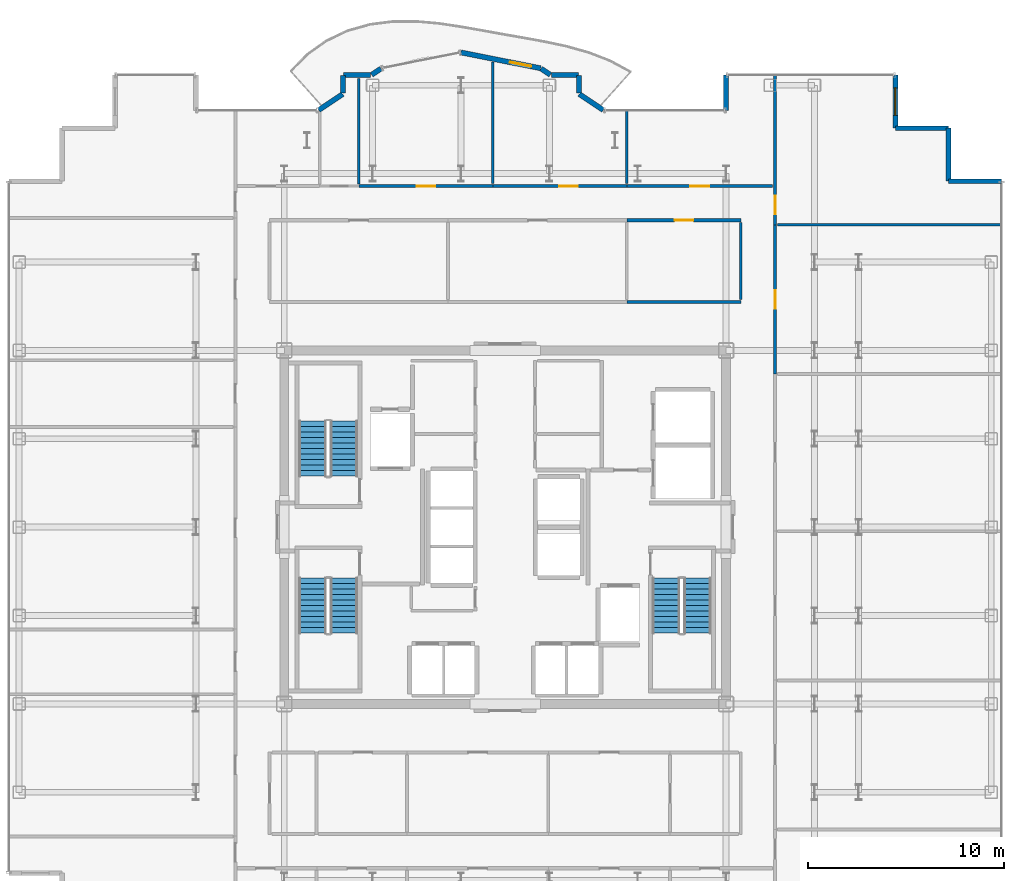
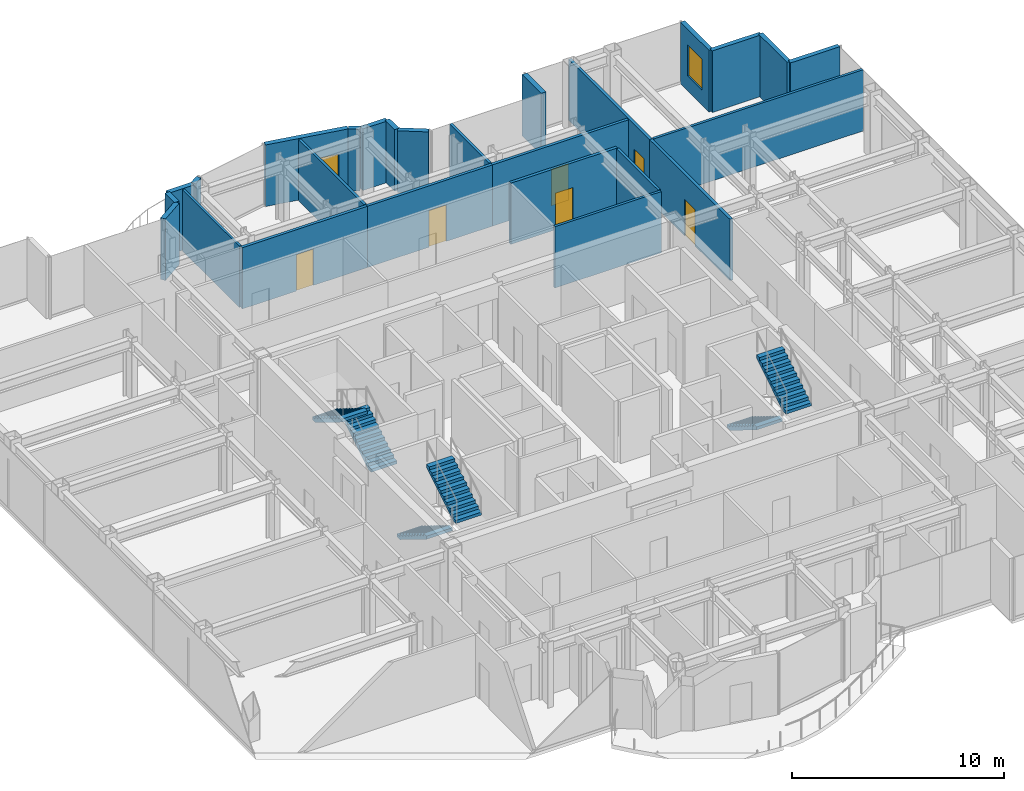
# One storey, part 19 of 21: 26 walls, 7 doors, 6 stair flights, 1 window, 8 openings, 3 elements without a shape of their own.
"""IFC4 building model written with IfcOpenShell, lengths in metres."""

from ifc_helpers import new_model, si_unit, direction, frame, frame_2d, origin, place, context, subcontext, project, spatial, polyline, rectangle, outline, extrude, source, transform, mapped, material, layer, layer_set, type_object, element, fill, aggregate, save


model = new_model("IFC4")

# Units and contexts
model_context = context("Model", 3, precision=1e-05, world=origin(), true_north=direction((0.0, 1.0)))
body_context = subcontext(model_context, "Body", "Model", "MODEL_VIEW")
ifc_project = project(units=[si_unit("LENGTHUNIT", "METRE"), si_unit("AREAUNIT", "SQUARE_METRE"), si_unit("VOLUMEUNIT", "CUBIC_METRE"), si_unit("PLANEANGLEUNIT", "RADIAN"), si_unit("MASSUNIT", "GRAM", prefix="KILO")], contexts=[model_context])

# Site, building, storey
site_placement = place(None, origin())
site = spatial("IfcSite", under=ifc_project, at=site_placement, CompositionType="ELEMENT")
building_placement = place(site_placement, origin())
building = spatial("IfcBuilding", under=site, at=building_placement, Name="Nefas-Gora Pilgrimage Tower", CompositionType="ELEMENT")
storey_placement = place(building_placement, frame((0.0, 0.0, 233.199951171875)))
storey = spatial("IfcBuildingStorey", under=building, at=storey_placement, Name="L58", CompositionType="ELEMENT", Elevation=233.199951171875)

# Walls
ifc_material_1 = material(Name="Precast concrete C40/50", Category="concrete")
ifc_layer_1 = layer(ifc_material_1, 0.260009765625)
ifc_layer_set_1 = layer_set([ifc_layer_1], Name="Precast concrete C40/50")
wall_type_1 = type_object("IfcWallType", Name="EW-PORTAL-260", PredefinedType="SOLIDWALL", material=ifc_layer_set_1)
shared_shape_1 = source(origin(), body_context, "Body", "SweptSolid", [
    extrude(rectangle(XDim=1.800048828125, YDim=0.260009765625, at=frame_2d((0.89990234375, 0.0))), origin(), (0.0, 0.0, 1.0), 3.550048828125),
])
wall_1_placement = place(storey_placement, frame((11.25, 23.02001953125, 0.0), z_axis=(0.0, 0.0, 1.0), x_axis=(0.0, -1.0, 0.0)))
element("IfcWall", 1, at=wall_1_placement, inside=storey, type_object=wall_type_1, Name="L58 Lobe Shoulder Precast Spandrel Pier 10", PredefinedType="SOLIDWALL", context=body_context, shape_type="MappedRepresentation", body=[
    mapped(shared_shape_1, transform((0.0, 0.0, 0.0), x_axis=(1.0, 0.0, 0.0), y_axis=(0.0, 1.0, 0.0), z_axis=(0.0, 0.0, 1.0), scale=1.0)),
])
ifc_material_2 = material(Name="Precast concrete C45/55", Category="concrete")
ifc_layer_2 = layer(ifc_material_2, 0.239990234375)
ifc_layer_set_2 = layer_set([ifc_layer_2], Name="Precast concrete C45/55")
wall_type_2 = type_object("IfcWallType", Name="EW-SERR-240", PredefinedType="SHEAR", material=ifc_layer_set_2)
shared_shape_2 = source(origin(), body_context, "Body", "SweptSolid", [
    extrude(rectangle(XDim=2.699951171875, YDim=0.239990234375, at=frame_2d((1.35009765625, 0.0))), origin(), (0.0, 0.0, 1.0), 3.550048828125),
])
for number, where, z_axis, x_axis, name in (
    (2, (25.27001953125, 17.6201171875, 0.0), (0.0, 0.0, 1.0), (-1.0, 0.0, 0.0), "L58 Serrated Corner Shear Pier Wall 6"),
    (3, (22.570068359375, 17.6201171875, 0.0), (0.0, 0.0, 1.0), (0.0, 1.0, 0.0), "L58 Serrated Corner Shear Pier Wall 7"),
    (4, (22.570068359375, 20.320068359375, 0.0), (0.0, 0.0, 1.0), (-1.0, 0.0, 0.0), "L58 Serrated Corner Shear Pier Wall 8"),
):
    element("IfcWall", number, at=place(storey_placement, frame(where, z_axis=z_axis, x_axis=x_axis)), inside=storey, type_object=wall_type_2, Name=name, PredefinedType="SHEAR", context=body_context, shape_type="MappedRepresentation", body=[
        mapped(shared_shape_2, transform((0.0, 0.0, 0.0), x_axis=(1.0, 0.0, 0.0), y_axis=(0.0, 1.0, 0.0), z_axis=(0.0, 0.0, 1.0), scale=1.0)),
    ])

# Wall, opening, window
wall_2_placement = place(storey_placement, frame((19.8701171875, 20.320068359375, 0.0), z_axis=(0.0, 0.0, 1.0), x_axis=(0.0, 1.0, 0.0)))
wall_2 = element("IfcWall", 5, at=wall_2_placement, inside=storey, type_object=wall_type_2, Name="L58 Serrated Corner Shear Pier Wall 9", PredefinedType="SHEAR", context=body_context, shape_type="MappedRepresentation", body=[
    mapped(shared_shape_2, transform((0.0, 0.0, 0.0), x_axis=(1.0, 0.0, 0.0), y_axis=(0.0, 1.0, 0.0), z_axis=(0.0, 0.0, 1.0), scale=1.0)),
])
opening_1_placement = place(wall_2_placement, frame((0.64990234375, 0.0, 0.85009765625)))
opening_1 = element("IfcOpeningElement", 6, at=opening_1_placement, cuts=wall_2, Name="Opening W-V2", PredefinedType="OPENING", context=body_context, shape_type="SweptSolid", body=[
    extrude(rectangle(XDim=1.39990234375, YDim=1.800048828125, at=frame_2d((0.699951171875, 0.89990234375))), frame((0.0, 0.1298828125, 0.0), z_axis=(0.0, -1.0, 0.0), x_axis=(1.0, 0.0, 0.0)), (0.0, 0.0, 1.0), 0.260009765625),
])
ifc_material_3 = material(Name="Dark ceramic-fritted operable aluminium-glass window", Category="aluminium")
window_type = type_object("IfcWindowType", Name="WIN-VENT-1400x1800", PartitioningType="SINGLE_PANEL", PredefinedType="WINDOW", material=ifc_material_3)
shared_shape_3 = source(origin(), body_context, "Body", "SweptSolid", [
    extrude(rectangle(XDim=1.39990234375, YDim=1.800048828125, at=frame_2d((0.699951171875, 0.89990234375))), frame((0.0, 0.030029296875, 0.0), z_axis=(0.0, -1.0, 0.0), x_axis=(1.0, 0.0, 0.0)), (0.0, 0.0, 1.0), 0.06005859375),
])
window_placement = place(opening_1_placement, origin())
window = element("IfcWindow", 7, at=window_placement, inside=storey, type_object=window_type, Name="L58 Operable Parallel-Outswing Window 9", OverallHeight=1.800048828125, OverallWidth=1.39990234375, PartitioningType="SINGLE_PANEL", PredefinedType="WINDOW", context=body_context, shape_type="MappedRepresentation", body=[
    mapped(shared_shape_3, transform((0.0, 0.0, 0.0), x_axis=(1.0, 0.0, 0.0), y_axis=(0.0, 1.0, 0.0), z_axis=(0.0, 0.0, 1.0), scale=1.0)),
])
fill(opening_1, window)

# Walls
shared_shape_4 = source(origin(), body_context, "Body", "SweptSolid", [
    extrude(rectangle(XDim=1.468994140625, YDim=0.260009765625, at=frame_2d((0.734375, 0.0))), origin(), (0.0, 0.0, 1.0), 3.550048828125),
])
for number, where, z_axis, x_axis, name in (
    (8, (4.99462890625, 21.235595703125, 0.0), (0.0, 0.0, 1.0), (-0.831461760506, 0.555581983884, 0.0), "L58 Lobe Shoulder Precast Spandrel Pier 11"),
    (9, (-8.273193359375, 22.0517578125, 0.0), (0.0, 0.0, 1.0), (-0.831461760506, -0.555581983884, 0.0), "L58 Lobe Shoulder Precast Spandrel Pier 19"),
):
    element("IfcWall", number, at=place(storey_placement, frame(where, z_axis=z_axis, x_axis=x_axis)), inside=storey, type_object=wall_type_1, Name=name, PredefinedType="SOLIDWALL", context=body_context, shape_type="MappedRepresentation", body=[
        mapped(shared_shape_4, transform((0.0, 0.0, 0.0), x_axis=(1.0, 0.0, 0.0), y_axis=(0.0, 1.0, 0.0), z_axis=(0.0, 0.0, 1.0), scale=1.0)),
    ])
shared_shape_5 = source(origin(), body_context, "Body", "SweptSolid", [
    extrude(rectangle(XDim=0.896728515625, YDim=0.260009765625, at=frame_2d((0.4482421875, 0.0))), origin(), (0.0, 0.0, 1.0), 3.550048828125),
])
for number, where, z_axis, x_axis, name in (
    (10, (3.75, 22.09521484375, 0.0), (0.0, 0.0, 1.0), (0.0, 1.0, 0.0), "L58 Lobe Shoulder Precast Spandrel Pier 12"),
    (11, (-8.25, 22.991943359375, 0.0), (0.0, 0.0, 1.0), (0.0, -1.0, 0.0), "L58 Lobe Shoulder Precast Spandrel Pier 18"),
):
    element("IfcWall", number, at=place(storey_placement, frame(where, z_axis=z_axis, x_axis=x_axis)), inside=storey, type_object=wall_type_1, Name=name, PredefinedType="SOLIDWALL", context=body_context, shape_type="MappedRepresentation", body=[
        mapped(shared_shape_5, transform((0.0, 0.0, 0.0), x_axis=(1.0, 0.0, 0.0), y_axis=(0.0, 1.0, 0.0), z_axis=(0.0, 0.0, 1.0), scale=1.0)),
    ])
shared_shape_6 = source(origin(), body_context, "Body", "SweptSolid", [
    extrude(rectangle(XDim=1.369873046875, YDim=0.260009765625, at=frame_2d((0.68505859375, 0.0))), origin(), (0.0, 0.0, 1.0), 3.550048828125),
])
for number, where, z_axis, x_axis, name in (
    (12, (3.721923828125, 23.02001953125, 0.0), (0.0, 0.0, 1.0), (-1.0, 0.0, 0.0), "L58 Lobe Shoulder Precast Spandrel Pier 13"),
    (13, (-6.85205078125, 23.02001953125, 0.0), (0.0, 0.0, 1.0), (-1.0, 0.0, 0.0), "L58 Lobe Shoulder Precast Spandrel Pier 17"),
):
    element("IfcWall", number, at=place(storey_placement, frame(where, z_axis=z_axis, x_axis=x_axis)), inside=storey, type_object=wall_type_1, Name=name, PredefinedType="SOLIDWALL", context=body_context, shape_type="MappedRepresentation", body=[
        mapped(shared_shape_6, transform((0.0, 0.0, 0.0), x_axis=(1.0, 0.0, 0.0), y_axis=(0.0, 1.0, 0.0), z_axis=(0.0, 0.0, 1.0), scale=1.0)),
    ])
shared_shape_7 = source(origin(), body_context, "Body", "SweptSolid", [
    extrude(rectangle(XDim=0.5654296875, YDim=0.260009765625, at=frame_2d((0.28271484375, 0.0))), origin(), (0.0, 0.0, 1.0), 3.550048828125),
])
for number, where, z_axis, x_axis, name in (
    (14, (2.30078125, 23.03564453125, 0.0), (0.0, 0.0, 1.0), (-0.831651492666, 0.555297933317, 0.0), "L58 Lobe Shoulder Precast Spandrel Pier 14"),
    (15, (-6.33056640625, 23.349609375, 0.0), (0.0, 0.0, 1.0), (-0.831651492666, -0.555297933317, 0.0), "L58 Lobe Shoulder Precast Spandrel Pier 16"),
):
    element("IfcWall", number, at=place(storey_placement, frame(where, z_axis=z_axis, x_axis=x_axis)), inside=storey, type_object=wall_type_1, Name=name, PredefinedType="SOLIDWALL", context=body_context, shape_type="MappedRepresentation", body=[
        mapped(shared_shape_7, transform((0.0, 0.0, 0.0), x_axis=(1.0, 0.0, 0.0), y_axis=(0.0, 1.0, 0.0), z_axis=(0.0, 0.0, 1.0), scale=1.0)),
    ])

# Wall, opening, door
shared_shape_8 = source(origin(), body_context, "Body", "SweptSolid", [
    extrude(rectangle(XDim=4.136962890625, YDim=0.260009765625, at=frame_2d((2.068359375, 0.0))), origin(), (0.0, 0.0, 1.0), 3.550048828125),
])
wall_3_placement = place(storey_placement, frame((1.807373046875, 23.365234375, 0.0), z_axis=(0.0, 0.0, 1.0), x_axis=(-0.980782170794, 0.195105954428, 0.0)))
wall_3 = element("IfcWall", 16, at=wall_3_placement, inside=storey, type_object=wall_type_1, Name="L58 Insulated Terrace Portal Wall 15", PredefinedType="SOLIDWALL", context=body_context, shape_type="MappedRepresentation", body=[
    mapped(shared_shape_8, transform((0.0, 0.0, 0.0), x_axis=(1.0, 0.0, 0.0), y_axis=(0.0, 1.0, 0.0), z_axis=(0.0, 0.0, 1.0), scale=1.0)),
])
opening_2_placement = place(wall_3_placement, frame((0.48779296875, 0.0, 0.0)))
opening_2 = element("IfcOpeningElement", 17, at=opening_2_placement, cuts=wall_3, Name="Opening ED-B1", PredefinedType="OPENING", context=body_context, shape_type="SweptSolid", body=[
    extrude(rectangle(XDim=1.10009765625, YDim=2.199951171875, at=frame_2d((0.550048828125, 1.10009765625))), frame((0.0, 0.139892578125, 0.0), z_axis=(0.0, -1.0, 0.0), x_axis=(1.0, 0.0, 0.0)), (0.0, 0.0, 1.0), 0.280029296875),
])
ifc_material_4 = material(Name="Thermally broken glazed aluminium balcony door", Category="aluminium")
door_type_1 = type_object("IfcDoorType", Name="DR-EXT-BAL-1100", OperationType="NOTDEFINED", PredefinedType="DOOR", material=ifc_material_4)
shared_shape_9 = source(origin(), body_context, "Body", "SweptSolid", [
    extrude(rectangle(XDim=1.10009765625, YDim=2.199951171875, at=frame_2d((0.550048828125, 1.10009765625))), frame((0.0, 0.02490234375, 0.0), z_axis=(0.0, -1.0, 0.0), x_axis=(1.0, 0.0, 0.0)), (0.0, 0.0, 1.0), 0.050048828125),
])
door_1_placement = place(opening_2_placement, origin())
door_1 = element("IfcDoor", 18, at=door_1_placement, inside=storey, type_object=door_type_1, Name="L58 Exterior Door (L58 N Lobe Wave Balcony)", OperationType="SINGLE_SWING_RIGHT", OverallHeight=2.199951171875, OverallWidth=1.10009765625, PredefinedType="DOOR", context=body_context, shape_type="MappedRepresentation", body=[
    mapped(shared_shape_9, transform((0.0, 0.0, 0.0), x_axis=(1.0, 0.0, 0.0), y_axis=(0.0, 1.0, 0.0), z_axis=(0.0, 0.0, 1.0), scale=1.0)),
])
fill(opening_2, door_1)

# Walls
ifc_material_5 = material(Name="Moisture-resistant fire-rated gypsum partition")
ifc_layer_3 = layer(ifc_material_5, 0.1201171875)
ifc_layer_set_3 = layer_set([ifc_layer_3], Name="Moisture-resistant fire-rated gypsum partition")
wall_type_3 = type_object("IfcWallType", Name="IW-WET-120", PredefinedType="PLUMBINGWALL", material=ifc_layer_set_3)
shared_shape_10 = source(origin(), body_context, "Body", "SweptSolid", [
    extrude(rectangle(XDim=5.380126953125, YDim=0.1201171875, at=frame_2d((2.68994140625, 0.0))), origin(), (0.0, 0.0, 1.0), 3.53515625),
])
wall_4_placement = place(storey_placement, frame((-7.449951171875, 17.469970703125, 0.0), z_axis=(0.0, 0.0, 1.0), x_axis=(0.0, 1.0, 0.0)))
element("IfcWall", 19, at=wall_4_placement, inside=storey, type_object=wall_type_3, Name="L58 Accessible Unisex WC Partition Wall 30", PredefinedType="PLUMBINGWALL", context=body_context, shape_type="MappedRepresentation", body=[
    mapped(shared_shape_10, transform((0.0, 0.0, 0.0), x_axis=(1.0, 0.0, 0.0), y_axis=(0.0, 1.0, 0.0), z_axis=(0.0, 0.0, 1.0), scale=1.0)),
])
ifc_material_6 = material(Name="Gypsum twin-stud partition")
ifc_layer_4 = layer(ifc_material_6, 0.139892578125)
ifc_layer_set_4 = layer_set([ifc_layer_4], Name="Gypsum twin-stud partition")
wall_type_4 = type_object("IfcWallType", Name="IW-UNIT-140", PredefinedType="PARTITIONING", material=ifc_layer_set_4)
shared_shape_11 = source(origin(), body_context, "Body", "SweptSolid", [
    extrude(rectangle(XDim=11.429931640625, YDim=0.139892578125, at=frame_2d((5.71484375, 0.0))), origin(), (0.0, 0.0, 1.0), 3.53515625),
])
wall_5_placement = place(storey_placement, frame((13.860107421875, 15.3974609375, 0.0), z_axis=(0.0, 0.0, 1.0), x_axis=(1.0, 0.0, 0.0)))
element("IfcWall", 20, at=wall_5_placement, inside=storey, type_object=wall_type_4, Name="L58 Pilgrim Contemplative Lounge Partition Wall 54", PredefinedType="PARTITIONING", context=body_context, shape_type="MappedRepresentation", body=[
    mapped(shared_shape_11, transform((0.0, 0.0, 0.0), x_axis=(1.0, 0.0, 0.0), y_axis=(0.0, 1.0, 0.0), z_axis=(0.0, 0.0, 1.0), scale=1.0)),
])
shared_shape_12 = source(origin(), body_context, "Body", "SweptSolid", [
    extrude(rectangle(XDim=3.929931640625, YDim=0.139892578125, at=frame_2d((1.96484375, 0.0))), origin(), (0.0, 0.0, 1.0), 3.53515625),
])
wall_6_placement = place(storey_placement, frame((12.0, 11.580078125, 0.0), z_axis=(0.0, 0.0, 1.0), x_axis=(0.0, 1.0, 0.0)))
element("IfcWall", 21, at=wall_6_placement, inside=storey, type_object=wall_type_4, Name="L58 Pilgrim Contemplative Lounge Partition Wall 71", PredefinedType="PARTITIONING", context=body_context, shape_type="MappedRepresentation", body=[
    mapped(shared_shape_12, transform((0.0, 0.0, 0.0), x_axis=(1.0, 0.0, 0.0), y_axis=(0.0, 1.0, 0.0), z_axis=(0.0, 0.0, 1.0), scale=1.0)),
])
shared_shape_13 = source(origin(), body_context, "Body", "SweptSolid", [
    extrude(rectangle(XDim=3.75, YDim=0.139892578125, at=frame_2d((1.875, 0.0))), origin(), (0.0, 0.0, 1.0), 3.53515625),
])
wall_7_placement = place(storey_placement, frame((6.195068359375, 17.489990234375, 0.0), z_axis=(0.0, 0.0, 1.0), x_axis=(0.0, 1.0, 0.0)))
element("IfcWall", 22, at=wall_7_placement, inside=storey, type_object=wall_type_4, Name="L58 Pilgrim Contemplative Lounge Partition Wall 66", PredefinedType="PARTITIONING", context=body_context, shape_type="MappedRepresentation", body=[
    mapped(shared_shape_13, transform((0.0, 0.0, 0.0), x_axis=(1.0, 0.0, 0.0), y_axis=(0.0, 1.0, 0.0), z_axis=(0.0, 0.0, 1.0), scale=1.0)),
])

# Wall, opening, door
ifc_material_7 = material(Name="Gypsum acoustic stud partition")
ifc_layer_5 = layer(ifc_material_7, 0.159912109375)
ifc_layer_set_5 = layer_set([ifc_layer_5], Name="Gypsum acoustic stud partition")
wall_type_5 = type_object("IfcWallType", Name="IW-CORR-160", PredefinedType="PARTITIONING", material=ifc_layer_set_5)
shared_shape_14 = source(origin(), body_context, "Body", "SweptSolid", [
    extrude(rectangle(XDim=7.652587890625, YDim=0.159912109375, at=frame_2d((3.826171875, 0.0))), origin(), (0.0, 0.0, 1.0), 3.53515625),
])
wall_8_placement = place(storey_placement, frame((13.739990234375, 15.387451171875, 0.0), z_axis=(0.0, 0.0, 1.0), x_axis=(0.0, 1.0, 0.0)))
wall_8 = element("IfcWall", 23, at=wall_8_placement, inside=storey, type_object=wall_type_5, Name="L58 Pilgrim Contemplative Lounge Partition Wall 53", PredefinedType="PARTITIONING", context=body_context, shape_type="MappedRepresentation", body=[
    mapped(shared_shape_14, transform((0.0, 0.0, 0.0), x_axis=(1.0, 0.0, 0.0), y_axis=(0.0, 1.0, 0.0), z_axis=(0.0, 0.0, 1.0), scale=1.0)),
])
opening_3_placement = place(wall_8_placement, frame((0.536376953125, 0.0, 0.0)))
opening_3 = element("IfcOpeningElement", 24, at=opening_3_placement, cuts=wall_8, Name="Opening ID-GR1", PredefinedType="OPENING", context=body_context, shape_type="SweptSolid", body=[
    extrude(rectangle(XDim=0.949951171875, YDim=2.10009765625, at=frame_2d((0.47509765625, 1.050048828125))), frame((0.0, 0.08984375, 0.0), z_axis=(0.0, -1.0, 0.0), x_axis=(1.0, 0.0, 0.0)), (0.0, 0.0, 1.0), 0.179931640625),
])
ifc_material_8 = material(Name="Solid core oak fire-rated guest entrance door")
door_type_2 = type_object("IfcDoorType", Name="DR-INT-GUEST-950", OperationType="NOTDEFINED", PredefinedType="DOOR", material=ifc_material_8)
shared_shape_15 = source(origin(), body_context, "Body", "SweptSolid", [
    extrude(rectangle(XDim=0.949951171875, YDim=2.10009765625, at=frame_2d((0.47509765625, 1.050048828125))), frame((0.0, 0.02490234375, 0.0), z_axis=(0.0, -1.0, 0.0), x_axis=(1.0, 0.0, 0.0)), (0.0, 0.0, 1.0), 0.050048828125),
])
door_2_placement = place(opening_3_placement, origin())
door_2 = element("IfcDoor", 25, at=door_2_placement, inside=storey, type_object=door_type_2, Name="L58 Pilgrim Contemplative Lounge Door 24", OperationType="SINGLE_SWING_RIGHT", OverallHeight=2.10009765625, OverallWidth=0.949951171875, PredefinedType="DOOR", context=body_context, shape_type="MappedRepresentation", body=[
    mapped(shared_shape_15, transform((0.0, 0.0, 0.0), x_axis=(1.0, 0.0, 0.0), y_axis=(0.0, 1.0, 0.0), z_axis=(0.0, 0.0, 1.0), scale=1.0)),
])
fill(opening_3, door_2)

shared_shape_16 = source(origin(), body_context, "Body", "SweptSolid", [
    extrude(rectangle(XDim=7.592529296875, YDim=0.159912109375, at=frame_2d((3.79638671875, 0.0))), origin(), (0.0, 0.0, 1.0), 3.53515625),
])
wall_9_placement = place(storey_placement, frame((13.739990234375, 7.794921875, 0.0), z_axis=(0.0, 0.0, 1.0), x_axis=(0.0, 1.0, 0.0)))
wall_9 = element("IfcWall", 26, at=wall_9_placement, inside=storey, type_object=wall_type_5, Name="L58 Pilgrim Contemplative Lounge Partition Wall 55", PredefinedType="PARTITIONING", context=body_context, shape_type="MappedRepresentation", body=[
    mapped(shared_shape_16, transform((0.0, 0.0, 0.0), x_axis=(1.0, 0.0, 0.0), y_axis=(0.0, 1.0, 0.0), z_axis=(0.0, 0.0, 1.0), scale=1.0)),
])
opening_4_placement = place(wall_9_placement, frame((3.3212890625, 0.0, 0.0)))
opening_4 = element("IfcOpeningElement", 27, at=opening_4_placement, cuts=wall_9, Name="Opening ID-GR1", PredefinedType="OPENING", context=body_context, shape_type="SweptSolid", body=[
    extrude(rectangle(XDim=0.949951171875, YDim=2.10009765625, at=frame_2d((0.47509765625, 1.050048828125))), frame((0.0, 0.08984375, 0.0), z_axis=(0.0, -1.0, 0.0), x_axis=(1.0, 0.0, 0.0)), (0.0, 0.0, 1.0), 0.179931640625),
])
door_3_placement = place(opening_4_placement, origin())
door_3 = element("IfcDoor", 28, at=door_3_placement, inside=storey, type_object=door_type_2, Name="L58 Pilgrim Contemplative Lounge Door 25", OperationType="SINGLE_SWING_LEFT", OverallHeight=2.10009765625, OverallWidth=0.949951171875, PredefinedType="DOOR", context=body_context, shape_type="MappedRepresentation", body=[
    mapped(shared_shape_15, transform((0.0, 0.0, 0.0), x_axis=(1.0, 0.0, 0.0), y_axis=(0.0, 1.0, 0.0), z_axis=(0.0, 0.0, 1.0), scale=1.0)),
])
fill(opening_4, door_3)

shared_shape_17 = source(origin(), body_context, "Body", "SweptSolid", [
    extrude(rectangle(XDim=7.425048828125, YDim=0.159912109375, at=frame_2d((3.71240234375, 0.0))), origin(), (0.0, 0.0, 1.0), 3.53515625),
])
wall_10_placement = place(storey_placement, frame((6.195068359375, 17.3701171875, 0.0), z_axis=(0.0, 0.0, 1.0), x_axis=(1.0, 0.0, 0.0)))
wall_10 = element("IfcWall", 29, at=wall_10_placement, inside=storey, type_object=wall_type_5, Name="L58 Pilgrim Contemplative Lounge Partition Wall 68", PredefinedType="PARTITIONING", context=body_context, shape_type="MappedRepresentation", body=[
    mapped(shared_shape_17, transform((0.0, 0.0, 0.0), x_axis=(1.0, 0.0, 0.0), y_axis=(0.0, 1.0, 0.0), z_axis=(0.0, 0.0, 1.0), scale=1.0)),
])
opening_5_placement = place(wall_10_placement, frame((3.237548828125, 0.0, 0.0)))
opening_5 = element("IfcOpeningElement", 30, at=opening_5_placement, cuts=wall_10, Name="Opening ID-GR1", PredefinedType="OPENING", context=body_context, shape_type="SweptSolid", body=[
    extrude(rectangle(XDim=0.949951171875, YDim=2.10009765625, at=frame_2d((0.47509765625, 1.050048828125))), frame((0.0, 0.08984375, 0.0), z_axis=(0.0, -1.0, 0.0), x_axis=(1.0, 0.0, 0.0)), (0.0, 0.0, 1.0), 0.179931640625),
])
door_4_placement = place(opening_5_placement, origin())
door_4 = element("IfcDoor", 31, at=door_4_placement, inside=storey, type_object=door_type_2, Name="L58 Pilgrim Contemplative Lounge Door 31", OperationType="SINGLE_SWING_LEFT", OverallHeight=2.10009765625, OverallWidth=0.949951171875, PredefinedType="DOOR", context=body_context, shape_type="MappedRepresentation", body=[
    mapped(shared_shape_15, transform((0.0, 0.0, 0.0), x_axis=(1.0, 0.0, 0.0), y_axis=(0.0, 1.0, 0.0), z_axis=(0.0, 0.0, 1.0), scale=1.0)),
])
fill(opening_5, door_4)

shared_shape_18 = source(origin(), body_context, "Body", "SweptSolid", [
    extrude(rectangle(XDim=5.81494140625, YDim=0.159912109375, at=frame_2d((2.907470703125, 0.0))), origin(), (0.0, 0.0, 1.0), 3.53515625),
])
wall_11_placement = place(storey_placement, frame((6.195068359375, 15.6298828125, 0.0), z_axis=(0.0, 0.0, 1.0), x_axis=(1.0, 0.0, 0.0)))
wall_11 = element("IfcWall", 32, at=wall_11_placement, inside=storey, type_object=wall_type_5, Name="L58 Pilgrim Contemplative Lounge Partition Wall 69", PredefinedType="PARTITIONING", context=body_context, shape_type="MappedRepresentation", body=[
    mapped(shared_shape_18, transform((0.0, 0.0, 0.0), x_axis=(1.0, 0.0, 0.0), y_axis=(0.0, 1.0, 0.0), z_axis=(0.0, 0.0, 1.0), scale=1.0)),
])
opening_6_placement = place(wall_11_placement, frame((2.4326171875, 0.0, 0.0)))
opening_6 = element("IfcOpeningElement", 33, at=opening_6_placement, cuts=wall_11, Name="Opening ID-GR1", PredefinedType="OPENING", context=body_context, shape_type="SweptSolid", body=[
    extrude(rectangle(XDim=0.949951171875, YDim=2.10009765625, at=frame_2d((0.47509765625, 1.050048828125))), frame((0.0, 0.08984375, 0.0), z_axis=(0.0, -1.0, 0.0), x_axis=(1.0, 0.0, 0.0)), (0.0, 0.0, 1.0), 0.179931640625),
])
door_5_placement = place(opening_6_placement, origin())
door_5 = element("IfcDoor", 34, at=door_5_placement, inside=storey, type_object=door_type_2, Name="L58 Pilgrim Contemplative Lounge Door 32", OperationType="SINGLE_SWING_RIGHT", OverallHeight=2.10009765625, OverallWidth=0.949951171875, PredefinedType="DOOR", context=body_context, shape_type="MappedRepresentation", body=[
    mapped(shared_shape_15, transform((0.0, 0.0, 0.0), x_axis=(1.0, 0.0, 0.0), y_axis=(0.0, 1.0, 0.0), z_axis=(0.0, 0.0, 1.0), scale=1.0)),
])
fill(opening_6, door_5)

# Wall
shared_shape_19 = source(origin(), body_context, "Body", "SweptSolid", [
    extrude(rectangle(XDim=5.81494140625, YDim=0.139892578125, at=frame_2d((2.907470703125, 0.0))), origin(), (0.0, 0.0, 1.0), 3.53515625),
])
wall_12_placement = place(storey_placement, frame((6.195068359375, 11.469970703125, 0.0), z_axis=(0.0, 0.0, 1.0), x_axis=(1.0, 0.0, 0.0)))
element("IfcWall", 35, at=wall_12_placement, inside=storey, type_object=wall_type_4, Name="L58 Pilgrim Contemplative Lounge Partition Wall 70", PredefinedType="PARTITIONING", context=body_context, shape_type="MappedRepresentation", body=[
    mapped(shared_shape_19, transform((0.0, 0.0, 0.0), x_axis=(1.0, 0.0, 0.0), y_axis=(0.0, 1.0, 0.0), z_axis=(0.0, 0.0, 1.0), scale=1.0)),
])

# Wall, opening, door
shared_shape_20 = source(origin(), body_context, "Body", "SweptSolid", [
    extrude(rectangle(XDim=6.822509765625, YDim=0.159912109375, at=frame_2d((3.4111328125, 0.0))), origin(), (0.0, 0.0, 1.0), 3.53515625),
])
wall_13_placement = place(storey_placement, frame((-7.43994140625, 17.3701171875, 0.0), z_axis=(0.0, 0.0, 1.0), x_axis=(1.0, 0.0, 0.0)))
wall_13 = element("IfcWall", 36, at=wall_13_placement, inside=storey, type_object=wall_type_5, Name="L58 Pilgrim Contemplative Lounge Partition Wall 63", PredefinedType="PARTITIONING", context=body_context, shape_type="MappedRepresentation", body=[
    mapped(shared_shape_20, transform((0.0, 0.0, 0.0), x_axis=(1.0, 0.0, 0.0), y_axis=(0.0, 1.0, 0.0), z_axis=(0.0, 0.0, 1.0), scale=1.0)),
])
opening_7_placement = place(wall_13_placement, frame((2.936279296875, 0.0, 0.0)))
opening_7 = element("IfcOpeningElement", 37, at=opening_7_placement, cuts=wall_13, Name="Opening ID-GR1", PredefinedType="OPENING", context=body_context, shape_type="SweptSolid", body=[
    extrude(rectangle(XDim=0.949951171875, YDim=2.10009765625, at=frame_2d((0.47509765625, 1.050048828125))), frame((0.0, 0.08984375, 0.0), z_axis=(0.0, -1.0, 0.0), x_axis=(1.0, 0.0, 0.0)), (0.0, 0.0, 1.0), 0.179931640625),
])
door_6_placement = place(opening_7_placement, origin())
door_6 = element("IfcDoor", 38, at=door_6_placement, inside=storey, type_object=door_type_2, Name="L58 Pilgrim Contemplative Lounge Door 28", OperationType="SINGLE_SWING_RIGHT", OverallHeight=2.10009765625, OverallWidth=0.949951171875, PredefinedType="DOOR", context=body_context, shape_type="MappedRepresentation", body=[
    mapped(shared_shape_15, transform((0.0, 0.0, 0.0), x_axis=(1.0, 0.0, 0.0), y_axis=(0.0, 1.0, 0.0), z_axis=(0.0, 0.0, 1.0), scale=1.0)),
])
fill(opening_7, door_6)

wall_14_placement = place(storey_placement, frame((-0.617431640625, 17.3701171875, 0.0), z_axis=(0.0, 0.0, 1.0), x_axis=(1.0, 0.0, 0.0)))
wall_14 = element("IfcWall", 39, at=wall_14_placement, inside=storey, type_object=wall_type_5, Name="L58 Pilgrim Contemplative Lounge Partition Wall 65", PredefinedType="PARTITIONING", context=body_context, shape_type="MappedRepresentation", body=[
    mapped(shared_shape_20, transform((0.0, 0.0, 0.0), x_axis=(1.0, 0.0, 0.0), y_axis=(0.0, 1.0, 0.0), z_axis=(0.0, 0.0, 1.0), scale=1.0)),
])
opening_8_placement = place(wall_14_placement, frame((3.361328125, 0.0, 0.0)))
opening_8 = element("IfcOpeningElement", 40, at=opening_8_placement, cuts=wall_14, Name="Opening ID-GR1", PredefinedType="OPENING", context=body_context, shape_type="SweptSolid", body=[
    extrude(rectangle(XDim=0.949951171875, YDim=2.10009765625, at=frame_2d((0.47509765625, 1.050048828125))), frame((0.0, 0.08984375, 0.0), z_axis=(0.0, -1.0, 0.0), x_axis=(1.0, 0.0, 0.0)), (0.0, 0.0, 1.0), 0.179931640625),
])
door_7_placement = place(opening_8_placement, origin())
door_7 = element("IfcDoor", 41, at=door_7_placement, inside=storey, type_object=door_type_2, Name="L58 Pilgrim Contemplative Lounge Door 29", OperationType="SINGLE_SWING_LEFT", OverallHeight=2.10009765625, OverallWidth=0.949951171875, PredefinedType="DOOR", context=body_context, shape_type="MappedRepresentation", body=[
    mapped(shared_shape_15, transform((0.0, 0.0, 0.0), x_axis=(1.0, 0.0, 0.0), y_axis=(0.0, 1.0, 0.0), z_axis=(0.0, 0.0, 1.0), scale=1.0)),
])
fill(opening_8, door_7)

# Wall
shared_shape_21 = source(origin(), body_context, "Body", "SweptSolid", [
    extrude(rectangle(XDim=6.1865234375, YDim=0.139892578125, at=frame_2d((3.09326171875, 0.0))), origin(), (0.0, 0.0, 1.0), 3.53515625),
])
wall_15_placement = place(storey_placement, frame((-0.62744140625, 17.489990234375, 0.0), z_axis=(0.0, 0.0, 1.0), x_axis=(0.0, 1.0, 0.0)))
element("IfcWall", 42, at=wall_15_placement, inside=storey, type_object=wall_type_4, Name="L58 Pilgrim Contemplative Lounge Partition Wall 64", PredefinedType="PARTITIONING", context=body_context, shape_type="MappedRepresentation", body=[
    mapped(shared_shape_21, transform((0.0, 0.0, 0.0), x_axis=(1.0, 0.0, 0.0), y_axis=(0.0, 1.0, 0.0), z_axis=(0.0, 0.0, 1.0), scale=1.0)),
])

# Stair, stair flights
ifc_material_9 = material(Name="Concrete C45/55", Category="concrete")
stair_type = type_object("IfcStairType", Name="STR-1400-R1727", PredefinedType="HALF_TURN_STAIR", material=ifc_material_9)
stair_1_placement = place(storey_placement, origin())
stair_1 = element("IfcStair", 43, at=stair_1_placement, inside=storey, type_object=stair_type, Name="L58 Pressurised Tower Exit Stair ST-01", PredefinedType="HALF_TURN_STAIR")
stair_flight_type = type_object("IfcStairFlightType", Name="STF-1400-R1727", PredefinedType="STRAIGHT", material=ifc_material_9)
shared_shape_22 = source(origin(), body_context, "Body", "SweptSolid", [
    extrude(outline(polyline([(0.0, 0.0), (0.0, 0.172607421875), (0.280029296875, 0.172607421875), (0.280029296875, 0.345458984375), (0.56005859375, 0.345458984375), (0.56005859375, 0.51806640625), (0.840087890625, 0.51806640625), (0.840087890625, 0.69091796875), (1.1201171875, 0.69091796875), (1.1201171875, 0.863525390625), (1.39990234375, 0.863525390625), (1.39990234375, 1.036376953125), (1.679931640625, 1.036376953125), (1.679931640625, 1.208984375), (1.9599609375, 1.208984375), (1.9599609375, 1.3818359375), (2.239990234375, 1.3818359375), (2.239990234375, 1.554443359375), (2.52001953125, 1.554443359375), (2.52001953125, 1.727294921875), (2.800048828125, 1.727294921875), (2.800048828125, 1.89990234375), (2.800048828125, 1.551025390625), (0.285400390625, 0.0), (0.0, 0.0)])), frame((0.0, 0.699951171875, 0.0), z_axis=(0.0, -1.0, 0.0), x_axis=(1.0, 0.0, 0.0)), (0.0, 0.0, 1.0), 1.39990234375),
])
stair_flight_1_placement = place(storey_placement, frame((-8.199951171875, 2.60009765625, 0.0), z_axis=(0.0, 0.0, 1.0), x_axis=(0.0, 1.0, 0.0)))
stair_flight_1 = element("IfcStairFlight", 44, at=stair_flight_1_placement, type_object=stair_flight_type, Name="ST-01 flight 1", NumberOfRisers=11, NumberOfTreads=10, PredefinedType="STRAIGHT", RiserHeight=0.172727273, TreadLength=0.28, context=body_context, shape_type="MappedRepresentation", body=[
    mapped(shared_shape_22, transform((0.0, 0.0, 0.0), x_axis=(1.0, 0.0, 0.0), y_axis=(0.0, 1.0, 0.0), z_axis=(0.0, 0.0, 1.0), scale=1.0)),
])
stair_flight_2_placement = place(storey_placement, frame((-9.800048828125, 5.39990234375, 1.900146484375), z_axis=(0.0, 0.0, 1.0), x_axis=(0.0, -1.0, 0.0)))
stair_flight_2 = element("IfcStairFlight", 45, at=stair_flight_2_placement, type_object=stair_flight_type, Name="ST-01 flight 2", NumberOfRisers=11, NumberOfTreads=10, PredefinedType="STRAIGHT", RiserHeight=0.172727273, TreadLength=0.28, context=body_context, shape_type="MappedRepresentation", body=[
    mapped(shared_shape_22, transform((0.0, 0.0, 0.0), x_axis=(1.0, 0.0, 0.0), y_axis=(0.0, 1.0, 0.0), z_axis=(0.0, 0.0, 1.0), scale=1.0)),
])
aggregate(stair_1, [stair_flight_1, stair_flight_2])

stair_2_placement = place(storey_placement, origin())
stair_2 = element("IfcStair", 46, at=stair_2_placement, inside=storey, type_object=stair_type, Name="L58 Pressurised Tower Exit Stair ST-02", PredefinedType="HALF_TURN_STAIR")
stair_flight_3_placement = place(storey_placement, frame((8.199951171875, -2.60009765625, 0.0), z_axis=(0.0, 0.0, 1.0), x_axis=(0.0, -1.0, 0.0)))
stair_flight_3 = element("IfcStairFlight", 47, at=stair_flight_3_placement, type_object=stair_flight_type, Name="ST-02 flight 1", NumberOfRisers=11, NumberOfTreads=10, PredefinedType="STRAIGHT", RiserHeight=0.172727273, TreadLength=0.28, context=body_context, shape_type="MappedRepresentation", body=[
    mapped(shared_shape_22, transform((0.0, 0.0, 0.0), x_axis=(1.0, 0.0, 0.0), y_axis=(0.0, 1.0, 0.0), z_axis=(0.0, 0.0, 1.0), scale=1.0)),
])
stair_flight_4_placement = place(storey_placement, frame((9.800048828125, -5.39990234375, 1.900146484375), z_axis=(0.0, 0.0, 1.0), x_axis=(0.0, 1.0, 0.0)))
stair_flight_4 = element("IfcStairFlight", 48, at=stair_flight_4_placement, type_object=stair_flight_type, Name="ST-02 flight 2", NumberOfRisers=11, NumberOfTreads=10, PredefinedType="STRAIGHT", RiserHeight=0.172727273, TreadLength=0.28, context=body_context, shape_type="MappedRepresentation", body=[
    mapped(shared_shape_22, transform((0.0, 0.0, 0.0), x_axis=(1.0, 0.0, 0.0), y_axis=(0.0, 1.0, 0.0), z_axis=(0.0, 0.0, 1.0), scale=1.0)),
])
aggregate(stair_2, [stair_flight_3, stair_flight_4])

stair_3_placement = place(storey_placement, origin())
stair_3 = element("IfcStair", 49, at=stair_3_placement, inside=storey, type_object=stair_type, Name="L58 Pressurised Tower Exit Stair ST-03", PredefinedType="HALF_TURN_STAIR")
stair_flight_5_placement = place(storey_placement, frame((-9.800048828125, -2.60009765625, 0.0), z_axis=(0.0, 0.0, 1.0), x_axis=(0.0, -1.0, 0.0)))
stair_flight_5 = element("IfcStairFlight", 50, at=stair_flight_5_placement, type_object=stair_flight_type, Name="ST-03 flight 1", NumberOfRisers=11, NumberOfTreads=10, PredefinedType="STRAIGHT", RiserHeight=0.172727273, TreadLength=0.28, context=body_context, shape_type="MappedRepresentation", body=[
    mapped(shared_shape_22, transform((0.0, 0.0, 0.0), x_axis=(1.0, 0.0, 0.0), y_axis=(0.0, 1.0, 0.0), z_axis=(0.0, 0.0, 1.0), scale=1.0)),
])
stair_flight_6_placement = place(storey_placement, frame((-8.199951171875, -5.39990234375, 1.900146484375), z_axis=(0.0, 0.0, 1.0), x_axis=(0.0, 1.0, 0.0)))
stair_flight_6 = element("IfcStairFlight", 51, at=stair_flight_6_placement, type_object=stair_flight_type, Name="ST-03 flight 2", NumberOfRisers=11, NumberOfTreads=10, PredefinedType="STRAIGHT", RiserHeight=0.172727273, TreadLength=0.28, context=body_context, shape_type="MappedRepresentation", body=[
    mapped(shared_shape_22, transform((0.0, 0.0, 0.0), x_axis=(1.0, 0.0, 0.0), y_axis=(0.0, 1.0, 0.0), z_axis=(0.0, 0.0, 1.0), scale=1.0)),
])
aggregate(stair_3, [stair_flight_5, stair_flight_6])

save(model, "model.ifc")
